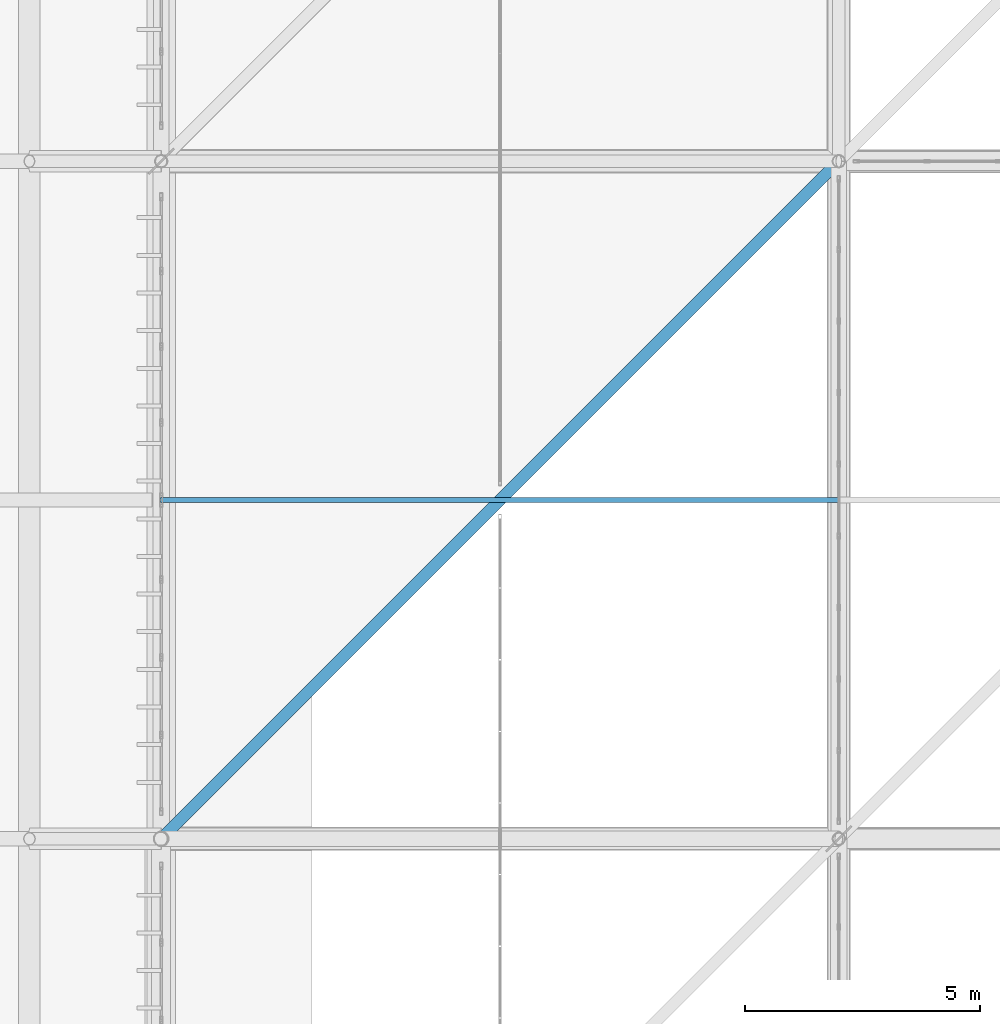
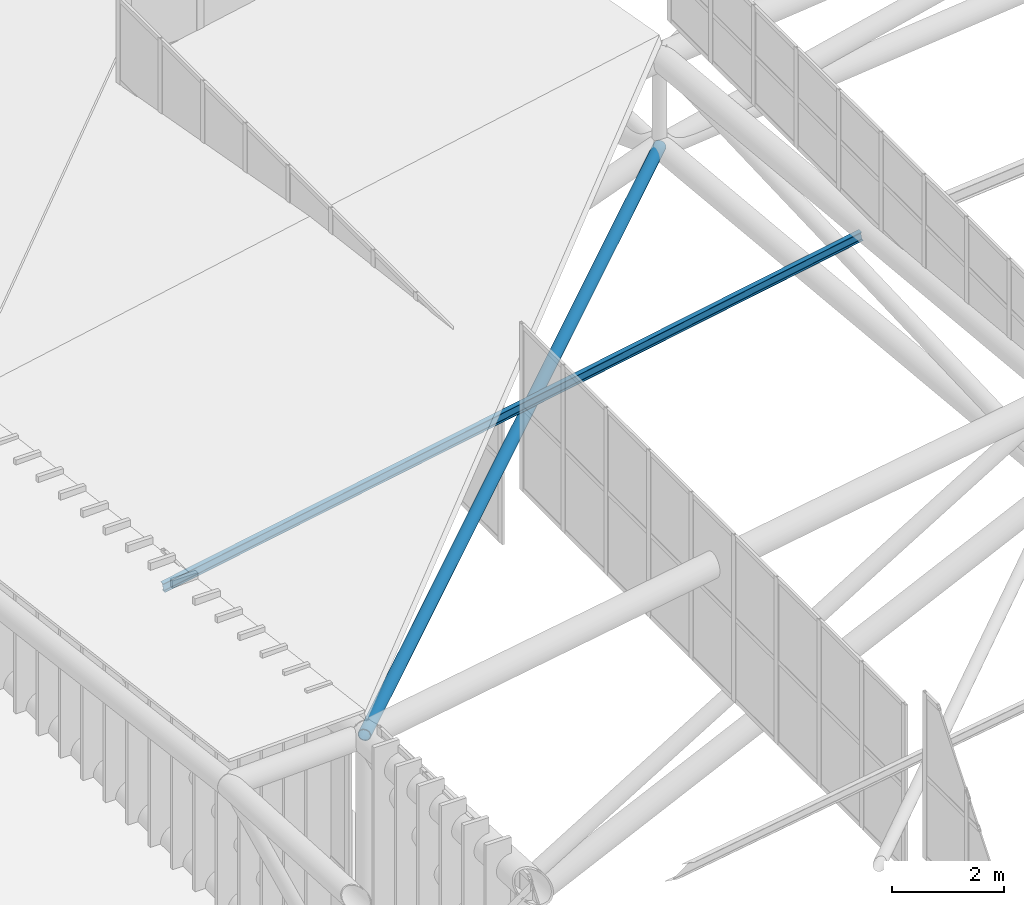
# One storey, part 200 of 397: 2 members.
"""IFC4 building model written with IfcOpenShell, lengths in metres."""

from ifc_helpers import new_model, si_unit, direction, frame, origin, origin_2d, place, context, subcontext, project, spatial, hollow_circle, i_section, extrude, material, material_profile, profile_set, type_object, element, save


model = new_model("IFC4")

# Units and contexts
model_context = context("Model", 3, precision=1e-05, world=origin(), true_north=direction((0.0, 1.0)))
body_context = subcontext(model_context, "Body", "Model", "MODEL_VIEW")
ifc_project = project(units=[si_unit("LENGTHUNIT", "METRE"), si_unit("AREAUNIT", "SQUARE_METRE"), si_unit("VOLUMEUNIT", "CUBIC_METRE"), si_unit("PLANEANGLEUNIT", "RADIAN"), si_unit("MASSUNIT", "GRAM", prefix="KILO")], contexts=[model_context])

# Site, building, storey
site_placement = place(None, origin())
site = spatial("IfcSite", under=ifc_project, at=site_placement, CompositionType="ELEMENT")
building_placement = place(site_placement, origin())
building = spatial("IfcBuilding", under=site, at=building_placement, Name="Qandorah Velis Arena", CompositionType="ELEMENT")
storey_placement = place(building_placement, frame((0.0, 0.0, 27.5)))
storey = spatial("IfcBuildingStorey", under=building, at=storey_placement, Name="RF", CompositionType="ELEMENT", Elevation=27.5)

# Members
ifc_material = material(Name="Steel S355", Category="steel")
ifc_material_profile_1 = material_profile(ifc_material, i_section(OverallWidth=0.10009765625, OverallDepth=0.199951171875, WebThickness=0.005615234375, FlangeThickness=0.008544921875, FilletRadius=0.011962890625, at=origin_2d()), Name="IPE 200")
ifc_profile_set_1 = profile_set([ifc_material_profile_1], Name="Steel S355")
member_type_1 = type_object("IfcMemberType", Name="STR-PRL-IPE200", PredefinedType="PURLIN", material=ifc_profile_set_1)
member_1_placement = place(storey_placement, frame((14.39990234375, 93.60009765625, 5.308349609375), z_axis=(0.983690903884, 0.0, 0.179867188824), x_axis=(0.0, 1.0, 0.0)))
element("IfcMember", 1, at=member_1_placement, inside=storey, type_object=member_type_1, Name="Arena roof purlin PRL-0.5", PredefinedType="PURLIN", context=body_context, shape_type="SweptSolid", body=[
    extrude(i_section(OverallWidth=0.10009765625, OverallDepth=0.199951171875, WebThickness=0.005615234375, FlangeThickness=0.008544921875, FilletRadius=0.011962890625, at=origin_2d()), origin(), (0.0, 0.0, 1.0), 14.638916015625),
])
ifc_material_profile_2 = material_profile(ifc_material, hollow_circle(Radius=0.122314453125, WallThickness=0.012451171875, at=origin_2d()), Name="CHS 244.5x12.5")
ifc_profile_set_2 = profile_set([ifc_material_profile_2], Name="Steel S355")
member_type_2 = type_object("IfcMemberType", Name="STR-SFD-CHS244X12", PredefinedType="STRUT", material=ifc_profile_set_2)
member_2_placement = place(storey_placement, frame((28.800048828125, 100.800048828125, 5.515380859375), z_axis=(-0.706365693674, -0.706365693674, 0.045771318536), x_axis=(0.707106781187, -0.707106781187, 0.0)))
element("IfcMember", 2, at=member_2_placement, inside=storey, type_object=member_type_2, Name="Space frame roof spatial diagonal 0.5", PredefinedType="STRUT", context=body_context, shape_type="SweptSolid", body=[
    extrude(hollow_circle(Radius=0.122314453125, WallThickness=0.012451171875, at=origin_2d()), origin(), (0.0, 0.0, 1.0), 20.38623046875),
])

save(model, "model.ifc")
